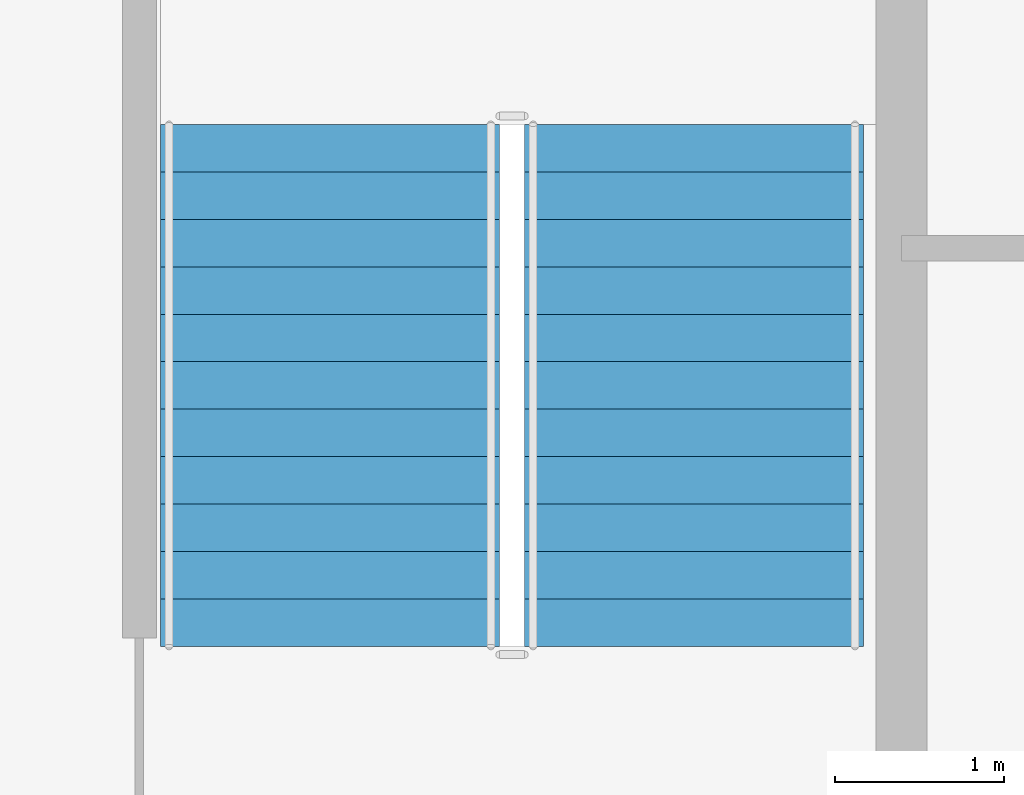
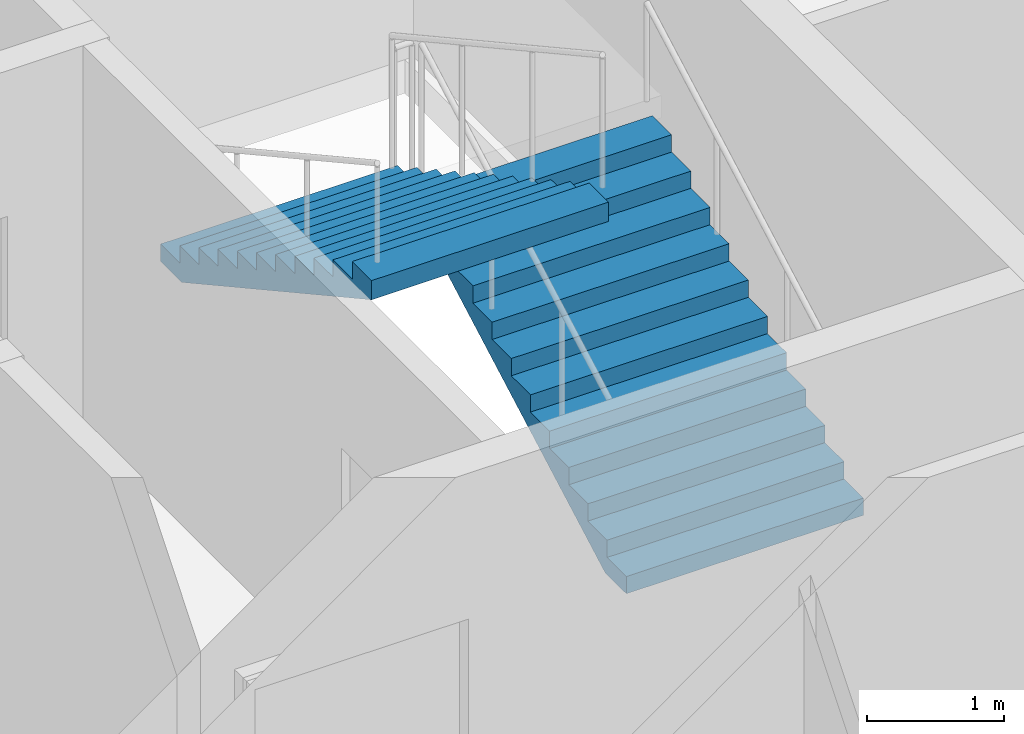
# One storey, part 12 of 18: 2 stair flights, 1 element without a shape of its own.
"""IFC4 building model written with IfcOpenShell, lengths in metres."""

import ifcopenshell
import ifcopenshell.guid

model = None  # the IFC model being written
_history = None  # IfcOwnerHistory: only IFC2X3 demands one
_inside = {}  # id of a spatial element -> (the spatial element, [elements in it])
_under = {}  # id of a project, library or spatial element -> (it, [spatial elements below it])
_declared = {}  # id of a project -> (the project, [libraries it declares])
_typed = {}  # id of a type object -> (the type object, [elements of that type])
_made_of = {}  # id of a material, layer set ... -> (it, [elements and type objects made of it])


def new_model(schema):
    """Start an empty IFC model of exactly this schema.

    Asked for "IFC4X3", IfcOpenShell would pick the latest addendum, in which some entities
    have other attributes; the version numbers below select the first issue.
    IFC2X3 requires an IfcOwnerHistory on every rooted entity: one is made here for all.
    """
    global model, _history
    if schema == "IFC4X3":
        model = ifcopenshell.file(schema_version=(4, 3, 0, 0))
    else:
        model = ifcopenshell.file(schema=schema)
    _inside.clear()
    _under.clear()
    _declared.clear()
    _typed.clear()
    _made_of.clear()
    _history = None
    if model.schema == "IFC2X3":
        org = make("IfcOrganization", Name="unknown")
        user = make(
            "IfcPersonAndOrganization",
            ThePerson=make("IfcPerson", FamilyName="unknown"),
            TheOrganization=org,
        )
        app = make(
            "IfcApplication",
            ApplicationDeveloper=org,
            Version="unknown",
            ApplicationFullName="unknown",
            ApplicationIdentifier="unknown",
        )
        _history = make(
            "IfcOwnerHistory",
            OwningUser=user,
            OwningApplication=app,
            ChangeAction="ADDED",
            CreationDate=0,
        )
    return model


def make(cls, **values):
    """One entity of the class cls with the attributes given. An attribute that is None is left unset."""
    return model.create_entity(
        cls, **{name: value for name, value in values.items() if value is not None}
    )


def rooted(cls, **values):
    """An entity with a GlobalId (a new one), such as an element, a storey or a relation."""
    return make(cls, GlobalId=ifcopenshell.guid.new(), OwnerHistory=_history, **values)


def si_unit(unit_type, name, prefix=None):
    """IfcSIUnit, for example si_unit("LENGTHUNIT", "METRE", prefix="MILLI")."""
    return make("IfcSIUnit", UnitType=unit_type, Prefix=prefix, Name=name)


def assignment(units):
    """IfcUnitAssignment: the units of a project."""
    return None if units is None else make("IfcUnitAssignment", Units=units)


def point(xyz):
    """IfcCartesianPoint."""
    return None if xyz is None else make("IfcCartesianPoint", Coordinates=xyz)


def direction(xyz):
    """IfcDirection."""
    return None if xyz is None else make("IfcDirection", DirectionRatios=xyz)


def frame(location, z_axis=None, x_axis=None):
    """IfcAxis2Placement3D, a coordinate frame: its origin and axes. An axis left out is left unset."""
    return make(
        "IfcAxis2Placement3D",
        Location=point(location),
        Axis=direction(z_axis),
        RefDirection=direction(x_axis),
    )


def origin():
    """The frame at (0, 0, 0) with its axes left unset."""
    return frame((0.0, 0.0, 0.0))


def place(relative_to, where):
    """IfcLocalPlacement: puts the frame where relative to a parent placement (None: the world)."""
    return make(
        "IfcLocalPlacement", PlacementRelTo=relative_to, RelativePlacement=where
    )


def context(
    kind, dimensions, precision=None, world=None, true_north=None, identifier=None
):
    """IfcGeometricRepresentationContext, for example the 3D "Model" context."""
    return make(
        "IfcGeometricRepresentationContext",
        ContextIdentifier=identifier,
        ContextType=kind,
        CoordinateSpaceDimension=dimensions,
        Precision=precision,
        WorldCoordinateSystem=world,
        TrueNorth=true_north,
    )


def subcontext(parent, identifier, kind, view, scale=None):
    """IfcGeometricRepresentationSubContext, for example "Body" below "Model"."""
    return make(
        "IfcGeometricRepresentationSubContext",
        ContextIdentifier=identifier,
        ContextType=kind,
        ParentContext=parent,
        TargetScale=scale,
        TargetView=view,
    )


def project(units=None, contexts=None):
    """IfcProject with its units and contexts."""
    return rooted(
        "IfcProject",
        Name="project",
        RepresentationContexts=contexts,
        UnitsInContext=assignment(units),
    )


def spatial(cls, under=None, at=None, **own):
    """A site, building, storey or space (cls), placed at a placement, below another one or the project."""
    s = rooted(cls, ObjectPlacement=at, **own)
    if under is not None:
        _under.setdefault(under.id(), (under, []))[1].append(s)
    return s


def point_list(points):
    """IfcCartesianPointList2D or 3D."""
    cls = (
        "IfcCartesianPointList2D" if len(points[0]) == 2 else "IfcCartesianPointList3D"
    )
    return make(cls, CoordList=points)


def polygons(points, faces, closed=None, point_numbers=None):
    """IfcPolygonalFaceSet: a face is its outer loop, then its inner loops; points numbered from 1."""
    made = []
    for loops in faces:
        if len(loops) == 1:
            made.append(make("IfcIndexedPolygonalFace", CoordIndex=loops[0]))
        else:
            made.append(
                make(
                    "IfcIndexedPolygonalFaceWithVoids",
                    CoordIndex=loops[0],
                    InnerCoordIndices=loops[1:],
                )
            )
    return make(
        "IfcPolygonalFaceSet",
        Coordinates=point_list(points),
        Closed=closed,
        Faces=made,
        PnIndex=point_numbers,
    )


def shape(context_of_items, identifier, shape_type, items):
    """IfcShapeRepresentation: the items that make up one representation, for example the "Body"."""
    return make(
        "IfcShapeRepresentation",
        ContextOfItems=context_of_items,
        RepresentationIdentifier=identifier,
        RepresentationType=shape_type,
        Items=items,
    )


def material(Name=None, Category=None):
    """IfcMaterial."""
    return make("IfcMaterial", Name=Name, Category=Category)


def made_of(thing, what):
    """Note that an element or type object is made of a material, layer set ...; save() writes the relation."""
    if what is not None:
        _made_of.setdefault(what.id(), (what, []))[1].append(thing)
    return thing


def type_object(cls, material=None, **own):
    """A type object (cls), such as IfcWallType, which elements share."""
    return made_of(rooted(cls, **own), material)


def element(
    cls,
    number,
    at=None,
    inside=None,
    cuts=None,
    type_object=None,
    material=None,
    context=None,
    identifier="Body",
    shape_type=None,
    held_by="IfcProductDefinitionShape",
    body=None,
    shapes=None,
    **own,
):
    """One element of the class cls, such as IfcWall. Its Tag is "e" and its number.

    at: its placement. inside: the storey or other place that contains it. cuts: it is an
    opening in that element (IfcRelVoidsElement). A single representation is given by context,
    identifier, shape_type and body (its items); several are given by shapes. held_by: the class
    of the entity that holds the representations. save() writes the other relations.
    """
    e = rooted(cls, Tag="e%d" % number, ObjectPlacement=at, **own)
    if body is not None:
        shapes = [shape(context, identifier, shape_type, body)]
    if shapes is not None:
        e.Representation = make(held_by, Representations=shapes)
    if inside is not None:
        _inside.setdefault(inside.id(), (inside, []))[1].append(e)
    if cuts is not None:
        rooted(
            "IfcRelVoidsElement", RelatingBuildingElement=cuts, RelatedOpeningElement=e
        )
    if type_object is not None:
        _typed.setdefault(type_object.id(), (type_object, []))[1].append(e)
    return made_of(e, material)


def aggregate(whole, parts):
    """IfcRelAggregates: a whole, such as a stair, and the parts it consists of."""
    return rooted("IfcRelAggregates", RelatingObject=whole, RelatedObjects=parts)


def save(model, path):
    """Write the relations noted so far, then the file.

    IfcRelAggregates (storeys below a building ...), IfcRelContainedInSpatialStructure (elements
    in a storey), IfcRelDefinesByType, IfcRelAssociatesMaterial and IfcRelDeclares: one each for
    every whole, place, type object, material and project.
    """
    for whole, parts in _under.values():
        aggregate(whole, parts)
    for where, things in _inside.values():
        rooted(
            "IfcRelContainedInSpatialStructure",
            RelatedElements=things,
            RelatingStructure=where,
        )
    for kind, things in _typed.values():
        rooted("IfcRelDefinesByType", RelatedObjects=things, RelatingType=kind)
    for what, things in _made_of.values():
        rooted("IfcRelAssociatesMaterial", RelatedObjects=things, RelatingMaterial=what)
    for by, libraries in _declared.values():
        rooted("IfcRelDeclares", RelatingContext=by, RelatedDefinitions=libraries)
    model.write(path)


model = new_model("IFC4")

# Units and contexts
model_context = context("Model", 3, precision=1e-05, world=origin(), true_north=direction((0.0, 1.0)))
body_context = subcontext(model_context, "Body", "Model", "MODEL_VIEW")
ifc_project = project(units=[si_unit("LENGTHUNIT", "METRE"), si_unit("AREAUNIT", "SQUARE_METRE"), si_unit("VOLUMEUNIT", "CUBIC_METRE"), si_unit("PLANEANGLEUNIT", "RADIAN"), si_unit("MASSUNIT", "GRAM", prefix="KILO")], contexts=[model_context])

# Site, building, storey
site_placement = place(None, origin())
site = spatial("IfcSite", under=ifc_project, at=site_placement, CompositionType="ELEMENT")
building_placement = place(site_placement, origin())
building = spatial("IfcBuilding", under=site, at=building_placement, Name="Caravel Reach Hotel and Residences", CompositionType="ELEMENT")
storey_placement = place(building_placement, frame((0.0, 0.0, 165.39990234375)))
storey = spatial("IfcBuildingStorey", under=building, at=storey_placement, Name="L41", CompositionType="ELEMENT", Elevation=165.39990234375)

# Stair, stair flights
ifc_material_1 = material(Name="Concrete C40", Category="concrete")
stair_type = type_object("IfcStairType", Name="Core stair", PredefinedType="HALF_TURN_STAIR", material=ifc_material_1)
stair_placement = place(storey_placement, origin())
stair = element("IfcStair", 1, at=stair_placement, inside=storey, type_object=stair_type, Name="L41 Exit stair B", PredefinedType="HALF_TURN_STAIR")
ifc_material_2 = material(Name="Concrete C40", Category="concrete")
stair_flight_type = type_object("IfcStairFlightType", Name="Core stair flight", PredefinedType="STRAIGHT", material=ifc_material_2)
stair_flight_1_placement = place(storey_placement, frame((43.77490234375, 24.64990234375, 0.0), z_axis=(0.0, 0.0, 1.0), x_axis=(0.0, 1.0, 0.0)))
stair_flight_1 = element("IfcStairFlight", 2, at=stair_flight_1_placement, type_object=stair_flight_type, Name="ST-B flight 1", NumberOfRisers=12, NumberOfTreads=11, PredefinedType="STRAIGHT", RiserHeight=0.154166667, TreadLength=0.28, context=body_context, shape_type="Tessellation", body=[
    polygons([(0.3107950034306102, 1.0, 0.0), (0.3107950034306102, 0.6666666666666667, 0.0), (0.3107950034306102, 0.33333333333333337, 0.0), (0.3107950034306102, 0.0, 0.0), (0.3107950034306102, -0.33333333333333326, 0.0), (0.3107950034306102, -0.6666666666666667, 0.0), (0.3107950034306102, -1.0, 0.0), (3.081, 1.0, 1.524711087717319), (3.081, 0.6666666666666667, 1.524711087717319), (3.081, 0.33333333333333337, 1.524711087717319), (3.081, 0.0, 1.524711087717319), (3.081, -0.33333333333333326, 1.524711087717319), (3.081, -0.6666666666666667, 1.524711087717319), (3.081, -1.0, 1.524711087717319), (3.081, 1.0, 1.695833337), (3.081, 0.6666666666666667, 1.695833337), (3.081, 0.33333333333333337, 1.695833337), (3.081, 0.0, 1.695833337), (3.081, -0.33333333333333326, 1.695833337), (3.081, -0.6666666666666667, 1.695833337), (3.081, -1.0, 1.695833337), (2.8000000000000003, 1.0, 1.695833337), (2.8000000000000003, 0.6666666666666667, 1.695833337), (2.8000000000000003, 0.33333333333333337, 1.695833337), (2.8000000000000003, 0.0, 1.695833337), (2.8000000000000003, -0.33333333333333326, 1.695833337), (2.8000000000000003, -0.6666666666666667, 1.695833337), (2.8000000000000003, -1.0, 1.695833337), (2.8000000000000003, 1.0, 1.5416666700000001), (2.8000000000000003, 0.6666666666666667, 1.5416666700000001), (2.8000000000000003, 0.33333333333333337, 1.5416666700000001), (2.8000000000000003, 0.0, 1.5416666700000001), (2.8000000000000003, -0.33333333333333326, 1.5416666700000001), (2.8000000000000003, -0.6666666666666667, 1.5416666700000001), (2.8000000000000003, -1.0, 1.5416666700000001), (2.5200000000000005, 1.0, 1.5416666700000001), (2.5200000000000005, 0.6666666666666667, 1.5416666700000001), (2.5200000000000005, 0.33333333333333337, 1.5416666700000001), (2.5200000000000005, 0.0, 1.5416666700000001), (2.5200000000000005, -0.33333333333333326, 1.5416666700000001), (2.5200000000000005, -0.6666666666666667, 1.5416666700000001), (2.5200000000000005, -1.0, 1.5416666700000001), (2.5200000000000005, 1.0, 1.387500003), (2.5200000000000005, 0.6666666666666667, 1.387500003), (2.5200000000000005, 0.33333333333333337, 1.387500003), (2.5200000000000005, 0.0, 1.387500003), (2.5200000000000005, -0.33333333333333326, 1.387500003), (2.5200000000000005, -0.6666666666666667, 1.387500003), (2.5200000000000005, -1.0, 1.387500003), (2.24, 1.0, 1.387500003), (2.24, 0.6666666666666667, 1.387500003), (2.24, 0.33333333333333337, 1.387500003), (2.24, 0.0, 1.387500003), (2.24, -0.33333333333333326, 1.387500003), (2.24, -0.6666666666666667, 1.387500003), (2.24, -1.0, 1.387500003), (2.24, 1.0, 1.233333336), (2.24, 0.6666666666666667, 1.233333336), (2.24, 0.33333333333333337, 1.233333336), (2.24, 0.0, 1.233333336), (2.24, -0.33333333333333326, 1.233333336), (2.24, -0.6666666666666667, 1.233333336), (2.24, -1.0, 1.233333336), (1.9600000000000002, 1.0, 1.233333336), (1.9600000000000002, 0.6666666666666667, 1.233333336), (1.9600000000000002, 0.33333333333333337, 1.233333336), (1.9600000000000002, 0.0, 1.233333336), (1.9600000000000002, -0.33333333333333326, 1.233333336), (1.9600000000000002, -0.6666666666666667, 1.233333336), (1.9600000000000002, -1.0, 1.233333336), (1.9600000000000002, 1.0, 1.0791666690000001), (1.9600000000000002, 0.6666666666666667, 1.0791666690000001), (1.9600000000000002, 0.33333333333333337, 1.0791666690000001), (1.9600000000000002, 0.0, 1.0791666690000001), (1.9600000000000002, -0.33333333333333326, 1.0791666690000001), (1.9600000000000002, -0.6666666666666667, 1.0791666690000001), (1.9600000000000002, -1.0, 1.0791666690000001), (1.6800000000000002, 1.0, 1.0791666690000001), (1.6800000000000002, 0.6666666666666667, 1.0791666690000001), (1.6800000000000002, 0.33333333333333337, 1.0791666690000001), (1.6800000000000002, 0.0, 1.0791666690000001), (1.6800000000000002, -0.33333333333333326, 1.0791666690000001), (1.6800000000000002, -0.6666666666666667, 1.0791666690000001), (1.6800000000000002, -1.0, 1.0791666690000001), (1.6800000000000002, 1.0, 0.925000002), (1.6800000000000002, 0.6666666666666667, 0.925000002), (1.6800000000000002, 0.33333333333333337, 0.925000002), (1.6800000000000002, 0.0, 0.925000002), (1.6800000000000002, -0.33333333333333326, 0.925000002), (1.6800000000000002, -0.6666666666666667, 0.925000002), (1.6800000000000002, -1.0, 0.925000002), (1.4000000000000001, 1.0, 0.925000002), (1.4000000000000001, 0.6666666666666667, 0.925000002), (1.4000000000000001, 0.33333333333333337, 0.925000002), (1.4000000000000001, 0.0, 0.925000002), (1.4000000000000001, -0.33333333333333326, 0.925000002), (1.4000000000000001, -0.6666666666666667, 0.925000002), (1.4000000000000001, -1.0, 0.925000002), (1.4000000000000001, 1.0, 0.7708333350000001), (1.4000000000000001, 0.6666666666666667, 0.7708333350000001), (1.4000000000000001, 0.33333333333333337, 0.7708333350000001), (1.4000000000000001, 0.0, 0.7708333350000001), (1.4000000000000001, -0.33333333333333326, 0.7708333350000001), (1.4000000000000001, -0.6666666666666667, 0.7708333350000001), (1.4000000000000001, -1.0, 0.7708333350000001), (1.12, 1.0, 0.7708333350000001), (1.12, 0.6666666666666667, 0.7708333350000001), (1.12, 0.33333333333333337, 0.7708333350000001), (1.12, 0.0, 0.7708333350000001), (1.12, -0.33333333333333326, 0.7708333350000001), (1.12, -0.6666666666666667, 0.7708333350000001), (1.12, -1.0, 0.7708333350000001), (1.12, 1.0, 0.616666668), (1.12, 0.6666666666666667, 0.616666668), (1.12, 0.33333333333333337, 0.616666668), (1.12, 0.0, 0.616666668), (1.12, -0.33333333333333326, 0.616666668), (1.12, -0.6666666666666667, 0.616666668), (1.12, -1.0, 0.616666668), (0.8400000000000001, 1.0, 0.616666668), (0.8400000000000001, 0.6666666666666667, 0.616666668), (0.8400000000000001, 0.33333333333333337, 0.616666668), (0.8400000000000001, 0.0, 0.616666668), (0.8400000000000001, -0.33333333333333326, 0.616666668), (0.8400000000000001, -0.6666666666666667, 0.616666668), (0.8400000000000001, -1.0, 0.616666668), (0.8400000000000001, 1.0, 0.462500001), (0.8400000000000001, 0.6666666666666667, 0.462500001), (0.8400000000000001, 0.33333333333333337, 0.462500001), (0.8400000000000001, 0.0, 0.462500001), (0.8400000000000001, -0.33333333333333326, 0.462500001), (0.8400000000000001, -0.6666666666666667, 0.462500001), (0.8400000000000001, -1.0, 0.462500001), (0.56, 1.0, 0.462500001), (0.56, 0.6666666666666667, 0.462500001), (0.56, 0.33333333333333337, 0.462500001), (0.56, 0.0, 0.462500001), (0.56, -0.33333333333333326, 0.462500001), (0.56, -0.6666666666666667, 0.462500001), (0.56, -1.0, 0.462500001), (0.56, 1.0, 0.308333334), (0.56, 0.6666666666666667, 0.308333334), (0.56, 0.33333333333333337, 0.308333334), (0.56, 0.0, 0.308333334), (0.56, -0.33333333333333326, 0.308333334), (0.56, -0.6666666666666667, 0.308333334), (0.56, -1.0, 0.308333334), (0.28, 1.0, 0.308333334), (0.28, 0.6666666666666667, 0.308333334), (0.28, 0.33333333333333337, 0.308333334), (0.28, 0.0, 0.308333334), (0.28, -0.33333333333333326, 0.308333334), (0.28, -0.6666666666666667, 0.308333334), (0.28, -1.0, 0.308333334), (0.28, 1.0, 0.154166667), (0.28, 0.6666666666666667, 0.154166667), (0.28, 0.33333333333333337, 0.154166667), (0.28, 0.0, 0.154166667), (0.28, -0.33333333333333326, 0.154166667), (0.28, -0.6666666666666667, 0.154166667), (0.28, -1.0, 0.154166667), (-0.001, 1.0, 0.154166667), (-0.001, 0.6666666666666667, 0.154166667), (-0.001, 0.33333333333333337, 0.154166667), (-0.001, 0.0, 0.154166667), (-0.001, -0.33333333333333326, 0.154166667), (-0.001, -0.6666666666666667, 0.154166667), (-0.001, -1.0, 0.154166667), (-0.001, 1.0, 0.0), (-0.001, 0.6666666666666667, 0.0), (-0.001, 0.33333333333333337, 0.0), (-0.001, 0.0, 0.0), (-0.001, -0.33333333333333326, 0.0), (-0.001, -0.6666666666666667, 0.0), (-0.001, -1.0, 0.0)], [[[169, 162, 155, 148, 141, 134, 127, 120, 113, 106, 99, 92, 85, 78, 71, 64, 57, 50, 43, 36, 29, 22, 15, 8, 1]], [[7, 14, 21, 28, 35, 42, 49, 56, 63, 70, 77, 84, 91, 98, 105, 112, 119, 126, 133, 140, 147, 154, 161, 168, 175]], [[1, 8, 9, 2]], [[2, 9, 10, 3]], [[3, 10, 11, 4]], [[4, 11, 12, 5]], [[5, 12, 13, 6]], [[6, 13, 14, 7]], [[8, 15, 16, 9]], [[9, 16, 17, 10]], [[10, 17, 18, 11]], [[11, 18, 19, 12]], [[12, 19, 20, 13]], [[13, 20, 21, 14]], [[15, 22, 23, 16]], [[16, 23, 24, 17]], [[17, 24, 25, 18]], [[18, 25, 26, 19]], [[19, 26, 27, 20]], [[20, 27, 28, 21]], [[22, 29, 30, 23]], [[23, 30, 31, 24]], [[24, 31, 32, 25]], [[25, 32, 33, 26]], [[26, 33, 34, 27]], [[27, 34, 35, 28]], [[29, 36, 37, 30]], [[30, 37, 38, 31]], [[31, 38, 39, 32]], [[32, 39, 40, 33]], [[33, 40, 41, 34]], [[34, 41, 42, 35]], [[36, 43, 44, 37]], [[37, 44, 45, 38]], [[38, 45, 46, 39]], [[39, 46, 47, 40]], [[40, 47, 48, 41]], [[41, 48, 49, 42]], [[43, 50, 51, 44]], [[44, 51, 52, 45]], [[45, 52, 53, 46]], [[46, 53, 54, 47]], [[47, 54, 55, 48]], [[48, 55, 56, 49]], [[50, 57, 58, 51]], [[51, 58, 59, 52]], [[52, 59, 60, 53]], [[53, 60, 61, 54]], [[54, 61, 62, 55]], [[55, 62, 63, 56]], [[57, 64, 65, 58]], [[58, 65, 66, 59]], [[59, 66, 67, 60]], [[60, 67, 68, 61]], [[61, 68, 69, 62]], [[62, 69, 70, 63]], [[64, 71, 72, 65]], [[65, 72, 73, 66]], [[66, 73, 74, 67]], [[67, 74, 75, 68]], [[68, 75, 76, 69]], [[69, 76, 77, 70]], [[71, 78, 79, 72]], [[72, 79, 80, 73]], [[73, 80, 81, 74]], [[74, 81, 82, 75]], [[75, 82, 83, 76]], [[76, 83, 84, 77]], [[78, 85, 86, 79]], [[79, 86, 87, 80]], [[80, 87, 88, 81]], [[81, 88, 89, 82]], [[82, 89, 90, 83]], [[83, 90, 91, 84]], [[85, 92, 93, 86]], [[86, 93, 94, 87]], [[87, 94, 95, 88]], [[88, 95, 96, 89]], [[89, 96, 97, 90]], [[90, 97, 98, 91]], [[92, 99, 100, 93]], [[93, 100, 101, 94]], [[94, 101, 102, 95]], [[95, 102, 103, 96]], [[96, 103, 104, 97]], [[97, 104, 105, 98]], [[99, 106, 107, 100]], [[100, 107, 108, 101]], [[101, 108, 109, 102]], [[102, 109, 110, 103]], [[103, 110, 111, 104]], [[104, 111, 112, 105]], [[106, 113, 114, 107]], [[107, 114, 115, 108]], [[108, 115, 116, 109]], [[109, 116, 117, 110]], [[110, 117, 118, 111]], [[111, 118, 119, 112]], [[113, 120, 121, 114]], [[114, 121, 122, 115]], [[115, 122, 123, 116]], [[116, 123, 124, 117]], [[117, 124, 125, 118]], [[118, 125, 126, 119]], [[120, 127, 128, 121]], [[121, 128, 129, 122]], [[122, 129, 130, 123]], [[123, 130, 131, 124]], [[124, 131, 132, 125]], [[125, 132, 133, 126]], [[127, 134, 135, 128]], [[128, 135, 136, 129]], [[129, 136, 137, 130]], [[130, 137, 138, 131]], [[131, 138, 139, 132]], [[132, 139, 140, 133]], [[134, 141, 142, 135]], [[135, 142, 143, 136]], [[136, 143, 144, 137]], [[137, 144, 145, 138]], [[138, 145, 146, 139]], [[139, 146, 147, 140]], [[141, 148, 149, 142]], [[142, 149, 150, 143]], [[143, 150, 151, 144]], [[144, 151, 152, 145]], [[145, 152, 153, 146]], [[146, 153, 154, 147]], [[148, 155, 156, 149]], [[149, 156, 157, 150]], [[150, 157, 158, 151]], [[151, 158, 159, 152]], [[152, 159, 160, 153]], [[153, 160, 161, 154]], [[155, 162, 163, 156]], [[156, 163, 164, 157]], [[157, 164, 165, 158]], [[158, 165, 166, 159]], [[159, 166, 167, 160]], [[160, 167, 168, 161]], [[162, 169, 170, 163]], [[163, 170, 171, 164]], [[164, 171, 172, 165]], [[165, 172, 173, 166]], [[166, 173, 174, 167]], [[167, 174, 175, 168]], [[169, 1, 2, 170]], [[170, 2, 3, 171]], [[171, 3, 4, 172]], [[172, 4, 5, 173]], [[173, 5, 6, 174]], [[174, 6, 7, 175]]], closed=True),
])
stair_flight_2_placement = place(storey_placement, frame((41.625, 27.72998046875, 1.85009765625), z_axis=(0.0, 0.0, 1.0), x_axis=(0.0, -1.0, 0.0)))
stair_flight_2 = element("IfcStairFlight", 3, at=stair_flight_2_placement, type_object=stair_flight_type, Name="ST-B flight 2", NumberOfRisers=12, NumberOfTreads=11, PredefinedType="STRAIGHT", RiserHeight=0.154166667, TreadLength=0.28, context=body_context, shape_type="Tessellation", body=[
    polygons([(0.3107950034306102, 1.0, 0.0), (0.3107950034306102, 0.6666666666666667, 0.0), (0.3107950034306102, 0.33333333333333337, 0.0), (0.3107950034306102, 0.0, 0.0), (0.3107950034306102, -0.33333333333333326, 0.0), (0.3107950034306102, -0.6666666666666667, 0.0), (0.3107950034306102, -1.0, 0.0), (3.081, 1.0, 1.524711087717319), (3.081, 0.6666666666666667, 1.524711087717319), (3.081, 0.33333333333333337, 1.524711087717319), (3.081, 0.0, 1.524711087717319), (3.081, -0.33333333333333326, 1.524711087717319), (3.081, -0.6666666666666667, 1.524711087717319), (3.081, -1.0, 1.524711087717319), (3.081, 1.0, 1.695833337), (3.081, 0.6666666666666667, 1.695833337), (3.081, 0.33333333333333337, 1.695833337), (3.081, 0.0, 1.695833337), (3.081, -0.33333333333333326, 1.695833337), (3.081, -0.6666666666666667, 1.695833337), (3.081, -1.0, 1.695833337), (2.8000000000000003, 1.0, 1.695833337), (2.8000000000000003, 0.6666666666666667, 1.695833337), (2.8000000000000003, 0.33333333333333337, 1.695833337), (2.8000000000000003, 0.0, 1.695833337), (2.8000000000000003, -0.33333333333333326, 1.695833337), (2.8000000000000003, -0.6666666666666667, 1.695833337), (2.8000000000000003, -1.0, 1.695833337), (2.8000000000000003, 1.0, 1.5416666700000001), (2.8000000000000003, 0.6666666666666667, 1.5416666700000001), (2.8000000000000003, 0.33333333333333337, 1.5416666700000001), (2.8000000000000003, 0.0, 1.5416666700000001), (2.8000000000000003, -0.33333333333333326, 1.5416666700000001), (2.8000000000000003, -0.6666666666666667, 1.5416666700000001), (2.8000000000000003, -1.0, 1.5416666700000001), (2.5200000000000005, 1.0, 1.5416666700000001), (2.5200000000000005, 0.6666666666666667, 1.5416666700000001), (2.5200000000000005, 0.33333333333333337, 1.5416666700000001), (2.5200000000000005, 0.0, 1.5416666700000001), (2.5200000000000005, -0.33333333333333326, 1.5416666700000001), (2.5200000000000005, -0.6666666666666667, 1.5416666700000001), (2.5200000000000005, -1.0, 1.5416666700000001), (2.5200000000000005, 1.0, 1.387500003), (2.5200000000000005, 0.6666666666666667, 1.387500003), (2.5200000000000005, 0.33333333333333337, 1.387500003), (2.5200000000000005, 0.0, 1.387500003), (2.5200000000000005, -0.33333333333333326, 1.387500003), (2.5200000000000005, -0.6666666666666667, 1.387500003), (2.5200000000000005, -1.0, 1.387500003), (2.24, 1.0, 1.387500003), (2.24, 0.6666666666666667, 1.387500003), (2.24, 0.33333333333333337, 1.387500003), (2.24, 0.0, 1.387500003), (2.24, -0.33333333333333326, 1.387500003), (2.24, -0.6666666666666667, 1.387500003), (2.24, -1.0, 1.387500003), (2.24, 1.0, 1.233333336), (2.24, 0.6666666666666667, 1.233333336), (2.24, 0.33333333333333337, 1.233333336), (2.24, 0.0, 1.233333336), (2.24, -0.33333333333333326, 1.233333336), (2.24, -0.6666666666666667, 1.233333336), (2.24, -1.0, 1.233333336), (1.9600000000000002, 1.0, 1.233333336), (1.9600000000000002, 0.6666666666666667, 1.233333336), (1.9600000000000002, 0.33333333333333337, 1.233333336), (1.9600000000000002, 0.0, 1.233333336), (1.9600000000000002, -0.33333333333333326, 1.233333336), (1.9600000000000002, -0.6666666666666667, 1.233333336), (1.9600000000000002, -1.0, 1.233333336), (1.9600000000000002, 1.0, 1.0791666690000001), (1.9600000000000002, 0.6666666666666667, 1.0791666690000001), (1.9600000000000002, 0.33333333333333337, 1.0791666690000001), (1.9600000000000002, 0.0, 1.0791666690000001), (1.9600000000000002, -0.33333333333333326, 1.0791666690000001), (1.9600000000000002, -0.6666666666666667, 1.0791666690000001), (1.9600000000000002, -1.0, 1.0791666690000001), (1.6800000000000002, 1.0, 1.0791666690000001), (1.6800000000000002, 0.6666666666666667, 1.0791666690000001), (1.6800000000000002, 0.33333333333333337, 1.0791666690000001), (1.6800000000000002, 0.0, 1.0791666690000001), (1.6800000000000002, -0.33333333333333326, 1.0791666690000001), (1.6800000000000002, -0.6666666666666667, 1.0791666690000001), (1.6800000000000002, -1.0, 1.0791666690000001), (1.6800000000000002, 1.0, 0.925000002), (1.6800000000000002, 0.6666666666666667, 0.925000002), (1.6800000000000002, 0.33333333333333337, 0.925000002), (1.6800000000000002, 0.0, 0.925000002), (1.6800000000000002, -0.33333333333333326, 0.925000002), (1.6800000000000002, -0.6666666666666667, 0.925000002), (1.6800000000000002, -1.0, 0.925000002), (1.4000000000000001, 1.0, 0.925000002), (1.4000000000000001, 0.6666666666666667, 0.925000002), (1.4000000000000001, 0.33333333333333337, 0.925000002), (1.4000000000000001, 0.0, 0.925000002), (1.4000000000000001, -0.33333333333333326, 0.925000002), (1.4000000000000001, -0.6666666666666667, 0.925000002), (1.4000000000000001, -1.0, 0.925000002), (1.4000000000000001, 1.0, 0.7708333350000001), (1.4000000000000001, 0.6666666666666667, 0.7708333350000001), (1.4000000000000001, 0.33333333333333337, 0.7708333350000001), (1.4000000000000001, 0.0, 0.7708333350000001), (1.4000000000000001, -0.33333333333333326, 0.7708333350000001), (1.4000000000000001, -0.6666666666666667, 0.7708333350000001), (1.4000000000000001, -1.0, 0.7708333350000001), (1.12, 1.0, 0.7708333350000001), (1.12, 0.6666666666666667, 0.7708333350000001), (1.12, 0.33333333333333337, 0.7708333350000001), (1.12, 0.0, 0.7708333350000001), (1.12, -0.33333333333333326, 0.7708333350000001), (1.12, -0.6666666666666667, 0.7708333350000001), (1.12, -1.0, 0.7708333350000001), (1.12, 1.0, 0.616666668), (1.12, 0.6666666666666667, 0.616666668), (1.12, 0.33333333333333337, 0.616666668), (1.12, 0.0, 0.616666668), (1.12, -0.33333333333333326, 0.616666668), (1.12, -0.6666666666666667, 0.616666668), (1.12, -1.0, 0.616666668), (0.8400000000000001, 1.0, 0.616666668), (0.8400000000000001, 0.6666666666666667, 0.616666668), (0.8400000000000001, 0.33333333333333337, 0.616666668), (0.8400000000000001, 0.0, 0.616666668), (0.8400000000000001, -0.33333333333333326, 0.616666668), (0.8400000000000001, -0.6666666666666667, 0.616666668), (0.8400000000000001, -1.0, 0.616666668), (0.8400000000000001, 1.0, 0.462500001), (0.8400000000000001, 0.6666666666666667, 0.462500001), (0.8400000000000001, 0.33333333333333337, 0.462500001), (0.8400000000000001, 0.0, 0.462500001), (0.8400000000000001, -0.33333333333333326, 0.462500001), (0.8400000000000001, -0.6666666666666667, 0.462500001), (0.8400000000000001, -1.0, 0.462500001), (0.56, 1.0, 0.462500001), (0.56, 0.6666666666666667, 0.462500001), (0.56, 0.33333333333333337, 0.462500001), (0.56, 0.0, 0.462500001), (0.56, -0.33333333333333326, 0.462500001), (0.56, -0.6666666666666667, 0.462500001), (0.56, -1.0, 0.462500001), (0.56, 1.0, 0.308333334), (0.56, 0.6666666666666667, 0.308333334), (0.56, 0.33333333333333337, 0.308333334), (0.56, 0.0, 0.308333334), (0.56, -0.33333333333333326, 0.308333334), (0.56, -0.6666666666666667, 0.308333334), (0.56, -1.0, 0.308333334), (0.28, 1.0, 0.308333334), (0.28, 0.6666666666666667, 0.308333334), (0.28, 0.33333333333333337, 0.308333334), (0.28, 0.0, 0.308333334), (0.28, -0.33333333333333326, 0.308333334), (0.28, -0.6666666666666667, 0.308333334), (0.28, -1.0, 0.308333334), (0.28, 1.0, 0.154166667), (0.28, 0.6666666666666667, 0.154166667), (0.28, 0.33333333333333337, 0.154166667), (0.28, 0.0, 0.154166667), (0.28, -0.33333333333333326, 0.154166667), (0.28, -0.6666666666666667, 0.154166667), (0.28, -1.0, 0.154166667), (-0.001, 1.0, 0.154166667), (-0.001, 0.6666666666666667, 0.154166667), (-0.001, 0.33333333333333337, 0.154166667), (-0.001, 0.0, 0.154166667), (-0.001, -0.33333333333333326, 0.154166667), (-0.001, -0.6666666666666667, 0.154166667), (-0.001, -1.0, 0.154166667), (-0.001, 1.0, 0.0), (-0.001, 0.6666666666666667, 0.0), (-0.001, 0.33333333333333337, 0.0), (-0.001, 0.0, 0.0), (-0.001, -0.33333333333333326, 0.0), (-0.001, -0.6666666666666667, 0.0), (-0.001, -1.0, 0.0)], [[[169, 162, 155, 148, 141, 134, 127, 120, 113, 106, 99, 92, 85, 78, 71, 64, 57, 50, 43, 36, 29, 22, 15, 8, 1]], [[7, 14, 21, 28, 35, 42, 49, 56, 63, 70, 77, 84, 91, 98, 105, 112, 119, 126, 133, 140, 147, 154, 161, 168, 175]], [[1, 8, 9, 2]], [[2, 9, 10, 3]], [[3, 10, 11, 4]], [[4, 11, 12, 5]], [[5, 12, 13, 6]], [[6, 13, 14, 7]], [[8, 15, 16, 9]], [[9, 16, 17, 10]], [[10, 17, 18, 11]], [[11, 18, 19, 12]], [[12, 19, 20, 13]], [[13, 20, 21, 14]], [[15, 22, 23, 16]], [[16, 23, 24, 17]], [[17, 24, 25, 18]], [[18, 25, 26, 19]], [[19, 26, 27, 20]], [[20, 27, 28, 21]], [[22, 29, 30, 23]], [[23, 30, 31, 24]], [[24, 31, 32, 25]], [[25, 32, 33, 26]], [[26, 33, 34, 27]], [[27, 34, 35, 28]], [[29, 36, 37, 30]], [[30, 37, 38, 31]], [[31, 38, 39, 32]], [[32, 39, 40, 33]], [[33, 40, 41, 34]], [[34, 41, 42, 35]], [[36, 43, 44, 37]], [[37, 44, 45, 38]], [[38, 45, 46, 39]], [[39, 46, 47, 40]], [[40, 47, 48, 41]], [[41, 48, 49, 42]], [[43, 50, 51, 44]], [[44, 51, 52, 45]], [[45, 52, 53, 46]], [[46, 53, 54, 47]], [[47, 54, 55, 48]], [[48, 55, 56, 49]], [[50, 57, 58, 51]], [[51, 58, 59, 52]], [[52, 59, 60, 53]], [[53, 60, 61, 54]], [[54, 61, 62, 55]], [[55, 62, 63, 56]], [[57, 64, 65, 58]], [[58, 65, 66, 59]], [[59, 66, 67, 60]], [[60, 67, 68, 61]], [[61, 68, 69, 62]], [[62, 69, 70, 63]], [[64, 71, 72, 65]], [[65, 72, 73, 66]], [[66, 73, 74, 67]], [[67, 74, 75, 68]], [[68, 75, 76, 69]], [[69, 76, 77, 70]], [[71, 78, 79, 72]], [[72, 79, 80, 73]], [[73, 80, 81, 74]], [[74, 81, 82, 75]], [[75, 82, 83, 76]], [[76, 83, 84, 77]], [[78, 85, 86, 79]], [[79, 86, 87, 80]], [[80, 87, 88, 81]], [[81, 88, 89, 82]], [[82, 89, 90, 83]], [[83, 90, 91, 84]], [[85, 92, 93, 86]], [[86, 93, 94, 87]], [[87, 94, 95, 88]], [[88, 95, 96, 89]], [[89, 96, 97, 90]], [[90, 97, 98, 91]], [[92, 99, 100, 93]], [[93, 100, 101, 94]], [[94, 101, 102, 95]], [[95, 102, 103, 96]], [[96, 103, 104, 97]], [[97, 104, 105, 98]], [[99, 106, 107, 100]], [[100, 107, 108, 101]], [[101, 108, 109, 102]], [[102, 109, 110, 103]], [[103, 110, 111, 104]], [[104, 111, 112, 105]], [[106, 113, 114, 107]], [[107, 114, 115, 108]], [[108, 115, 116, 109]], [[109, 116, 117, 110]], [[110, 117, 118, 111]], [[111, 118, 119, 112]], [[113, 120, 121, 114]], [[114, 121, 122, 115]], [[115, 122, 123, 116]], [[116, 123, 124, 117]], [[117, 124, 125, 118]], [[118, 125, 126, 119]], [[120, 127, 128, 121]], [[121, 128, 129, 122]], [[122, 129, 130, 123]], [[123, 130, 131, 124]], [[124, 131, 132, 125]], [[125, 132, 133, 126]], [[127, 134, 135, 128]], [[128, 135, 136, 129]], [[129, 136, 137, 130]], [[130, 137, 138, 131]], [[131, 138, 139, 132]], [[132, 139, 140, 133]], [[134, 141, 142, 135]], [[135, 142, 143, 136]], [[136, 143, 144, 137]], [[137, 144, 145, 138]], [[138, 145, 146, 139]], [[139, 146, 147, 140]], [[141, 148, 149, 142]], [[142, 149, 150, 143]], [[143, 150, 151, 144]], [[144, 151, 152, 145]], [[145, 152, 153, 146]], [[146, 153, 154, 147]], [[148, 155, 156, 149]], [[149, 156, 157, 150]], [[150, 157, 158, 151]], [[151, 158, 159, 152]], [[152, 159, 160, 153]], [[153, 160, 161, 154]], [[155, 162, 163, 156]], [[156, 163, 164, 157]], [[157, 164, 165, 158]], [[158, 165, 166, 159]], [[159, 166, 167, 160]], [[160, 167, 168, 161]], [[162, 169, 170, 163]], [[163, 170, 171, 164]], [[164, 171, 172, 165]], [[165, 172, 173, 166]], [[166, 173, 174, 167]], [[167, 174, 175, 168]], [[169, 1, 2, 170]], [[170, 2, 3, 171]], [[171, 3, 4, 172]], [[172, 4, 5, 173]], [[173, 5, 6, 174]], [[174, 6, 7, 175]]], closed=True),
])
aggregate(stair, [stair_flight_1, stair_flight_2])

save(model, "model.ifc")
